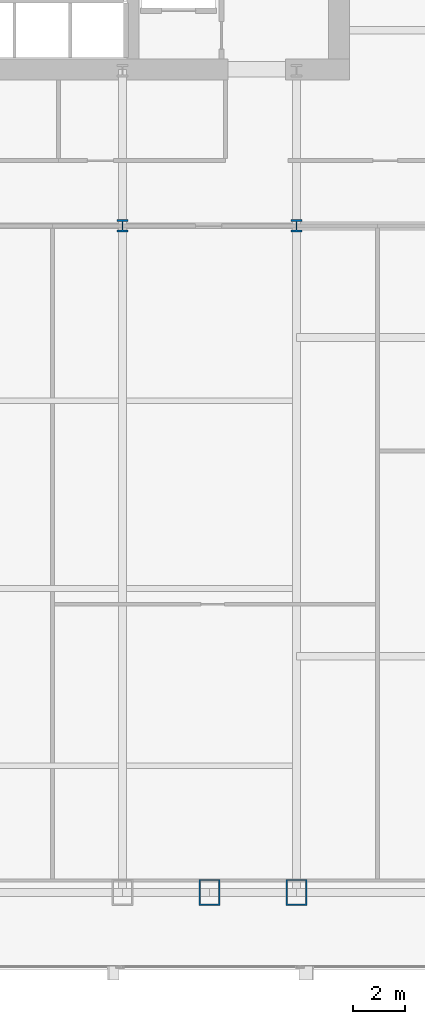
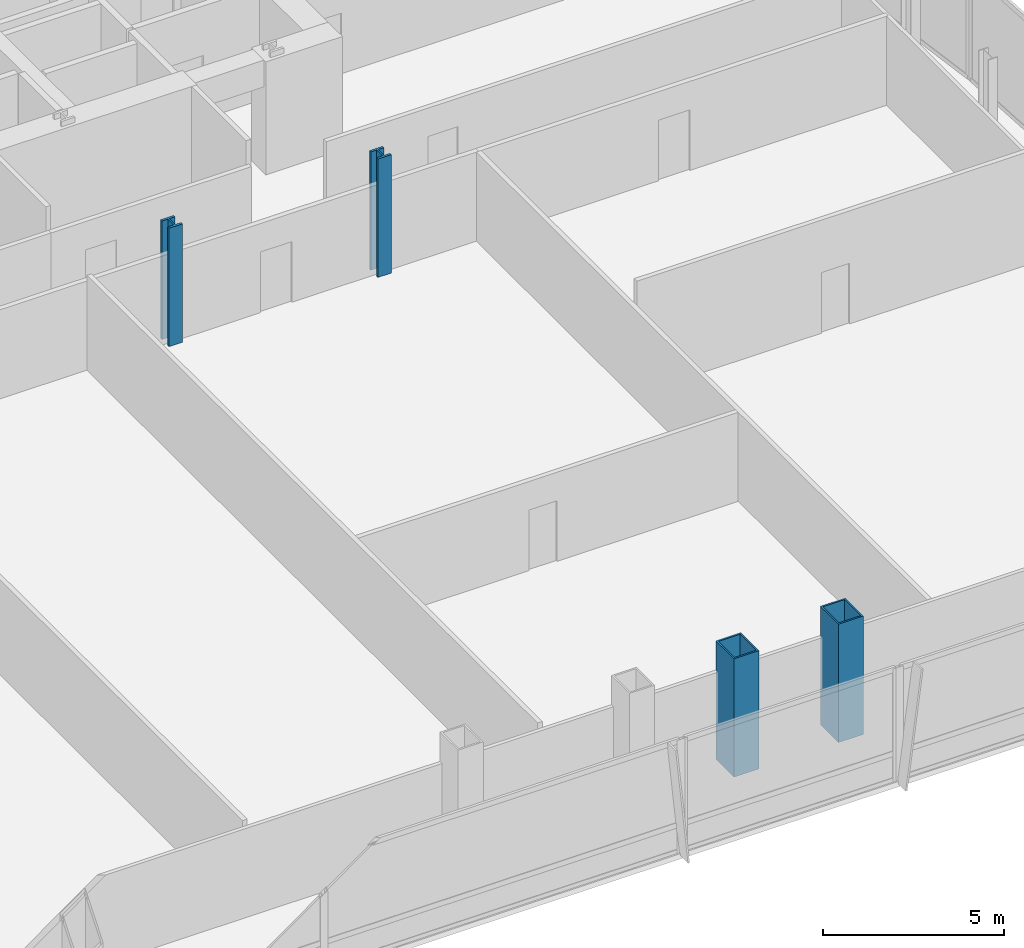
# One storey, part 2 of 32: 4 columns.
"""IFC4 building model written with IfcOpenShell, lengths in metres."""

from ifc_helpers import new_model, si_unit, direction, frame, origin, origin_2d, place, context, subcontext, project, spatial, hollow_rectangle, i_section, extrude, material, material_profile, profile_set, type_object, element, save


model = new_model("IFC4")

# Units and contexts
model_context = context("Model", 3, precision=1e-05, world=origin(), true_north=direction((0.0, 1.0)))
body_context = subcontext(model_context, "Body", "Model", "MODEL_VIEW")
ifc_project = project(units=[si_unit("LENGTHUNIT", "METRE"), si_unit("AREAUNIT", "SQUARE_METRE"), si_unit("VOLUMEUNIT", "CUBIC_METRE"), si_unit("PLANEANGLEUNIT", "RADIAN"), si_unit("MASSUNIT", "GRAM", prefix="KILO")], contexts=[model_context])

# Site, building, storey
site_placement = place(None, origin())
site = spatial("IfcSite", under=ifc_project, at=site_placement, CompositionType="ELEMENT")
building_placement = place(site_placement, origin())
building = spatial("IfcBuilding", under=site, at=building_placement, Name="Khoronbel Lancet Exchange", CompositionType="ELEMENT")
storey_placement = place(building_placement, frame((0.0, 0.0, 41.800048828125)))
storey = spatial("IfcBuildingStorey", under=building, at=storey_placement, Name="L09", CompositionType="ELEMENT", Elevation=41.800048828125)

# Columns
ifc_material = material(Name="Steel S460", Category="steel")
ifc_material_profile_1 = material_profile(ifc_material, hollow_rectangle(XDim=0.800048828125, YDim=1.0, WallThickness=0.054931640625, at=origin_2d()), Name="BOX 1000x800x55")
ifc_profile_set_1 = profile_set([ifc_material_profile_1], Name="Steel S460")
column_type_1 = type_object("IfcColumnType", Name="COL-EC1", PredefinedType="COLUMN", material=ifc_profile_set_1)
for number, where, z_axis, x_axis, name in (
    (1, (51.33740234375, 10.14990234375, 0.0), (0.0, 0.0, 1.0), (1.0, 0.0, 0.0), "Structural column SC-EM L09"),
    (2, (54.675048828125, 10.14990234375, 0.0), (0.0, 0.0, 1.0), (1.0, 0.0, 0.0), "Structural column SC-E2 L09"),
):
    element("IfcColumn", number, at=place(storey_placement, frame(where, z_axis=z_axis, x_axis=x_axis)), inside=storey, type_object=column_type_1, Name=name, PredefinedType="COLUMN", context=body_context, shape_type="SweptSolid", body=[
        extrude(hollow_rectangle(XDim=0.800048828125, YDim=1.0, WallThickness=0.054931640625, at=origin_2d()), origin(), (0.0, 0.0, 1.0), 4.0),
    ])
ifc_material_profile_2 = material_profile(ifc_material, i_section(OverallWidth=0.424072265625, OverallDepth=0.47412109375, WebThickness=0.047607421875, FlangeThickness=0.076904296875, at=origin_2d()), Name="HD 400x634")
ifc_profile_set_2 = profile_set([ifc_material_profile_2], Name="Steel S460")
column_type_2 = type_object("IfcColumnType", Name="COL-IC1", PredefinedType="COLUMN", material=ifc_profile_set_2)
for number, where, z_axis, x_axis, name in (
    (3, (48.0, 35.699951171875, 0.0), (0.0, 0.0, 1.0), (1.0, 0.0, 0.0), "Spine gravity column TC3 L09"),
    (4, (54.675048828125, 35.699951171875, 0.0), (0.0, 0.0, 1.0), (1.0, 0.0, 0.0), "Spine gravity column TC4 L09"),
):
    element("IfcColumn", number, at=place(storey_placement, frame(where, z_axis=z_axis, x_axis=x_axis)), inside=storey, type_object=column_type_2, Name=name, PredefinedType="COLUMN", context=body_context, shape_type="SweptSolid", body=[
        extrude(i_section(OverallWidth=0.424072265625, OverallDepth=0.47412109375, WebThickness=0.047607421875, FlangeThickness=0.076904296875, at=origin_2d()), origin(), (0.0, 0.0, 1.0), 4.0),
    ])

save(model, "model.ifc")
